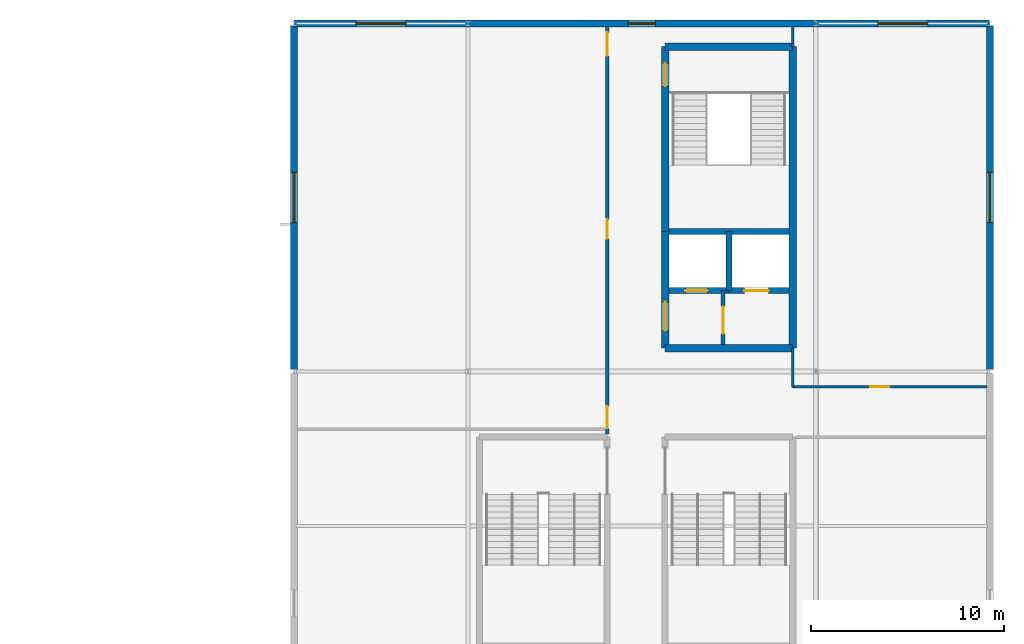
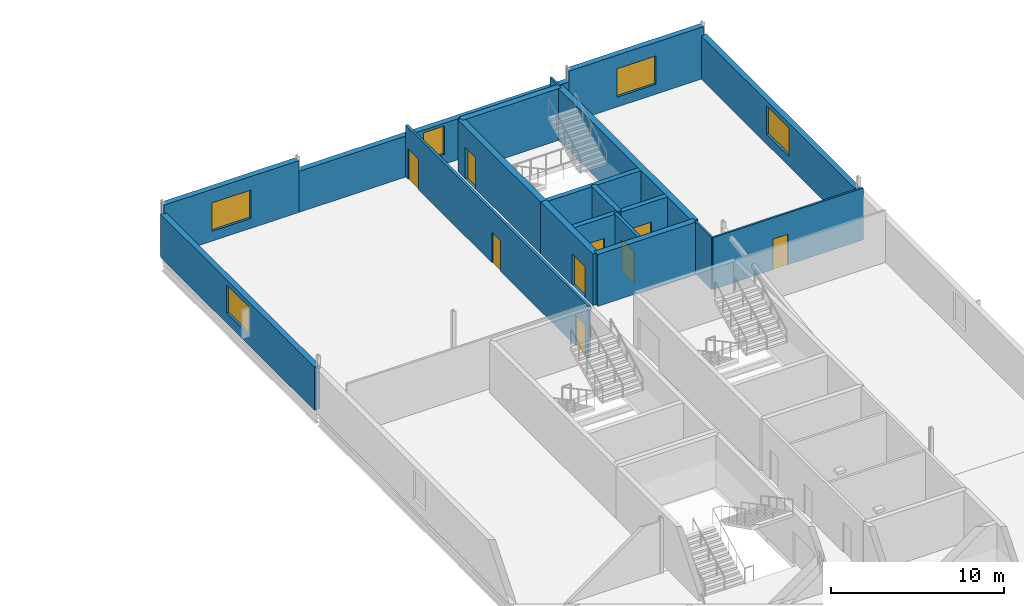
# One storey, part 24 of 35: 19 walls, 9 doors, 5 windows, 14 openings.
"""IFC4 building model written with IfcOpenShell, lengths in metres."""

import ifcopenshell
import ifcopenshell.guid

model = None  # the IFC model being written
_history = None  # IfcOwnerHistory: only IFC2X3 demands one
_inside = {}  # id of a spatial element -> (the spatial element, [elements in it])
_under = {}  # id of a project, library or spatial element -> (it, [spatial elements below it])
_declared = {}  # id of a project -> (the project, [libraries it declares])
_typed = {}  # id of a type object -> (the type object, [elements of that type])
_made_of = {}  # id of a material, layer set ... -> (it, [elements and type objects made of it])


def new_model(schema):
    """Start an empty IFC model of exactly this schema.

    Asked for "IFC4X3", IfcOpenShell would pick the latest addendum, in which some entities
    have other attributes; the version numbers below select the first issue.
    IFC2X3 requires an IfcOwnerHistory on every rooted entity: one is made here for all.
    """
    global model, _history
    if schema == "IFC4X3":
        model = ifcopenshell.file(schema_version=(4, 3, 0, 0))
    else:
        model = ifcopenshell.file(schema=schema)
    _inside.clear()
    _under.clear()
    _declared.clear()
    _typed.clear()
    _made_of.clear()
    _history = None
    if model.schema == "IFC2X3":
        org = make("IfcOrganization", Name="unknown")
        user = make(
            "IfcPersonAndOrganization",
            ThePerson=make("IfcPerson", FamilyName="unknown"),
            TheOrganization=org,
        )
        app = make(
            "IfcApplication",
            ApplicationDeveloper=org,
            Version="unknown",
            ApplicationFullName="unknown",
            ApplicationIdentifier="unknown",
        )
        _history = make(
            "IfcOwnerHistory",
            OwningUser=user,
            OwningApplication=app,
            ChangeAction="ADDED",
            CreationDate=0,
        )
    return model


def make(cls, **values):
    """One entity of the class cls with the attributes given. An attribute that is None is left unset."""
    return model.create_entity(
        cls, **{name: value for name, value in values.items() if value is not None}
    )


def rooted(cls, **values):
    """An entity with a GlobalId (a new one), such as an element, a storey or a relation."""
    return make(cls, GlobalId=ifcopenshell.guid.new(), OwnerHistory=_history, **values)


def si_unit(unit_type, name, prefix=None):
    """IfcSIUnit, for example si_unit("LENGTHUNIT", "METRE", prefix="MILLI")."""
    return make("IfcSIUnit", UnitType=unit_type, Prefix=prefix, Name=name)


def assignment(units):
    """IfcUnitAssignment: the units of a project."""
    return None if units is None else make("IfcUnitAssignment", Units=units)


def point(xyz):
    """IfcCartesianPoint."""
    return None if xyz is None else make("IfcCartesianPoint", Coordinates=xyz)


def direction(xyz):
    """IfcDirection."""
    return None if xyz is None else make("IfcDirection", DirectionRatios=xyz)


def frame(location, z_axis=None, x_axis=None):
    """IfcAxis2Placement3D, a coordinate frame: its origin and axes. An axis left out is left unset."""
    return make(
        "IfcAxis2Placement3D",
        Location=point(location),
        Axis=direction(z_axis),
        RefDirection=direction(x_axis),
    )


def frame_2d(location, x_axis=None):
    """IfcAxis2Placement2D, a coordinate frame in the plane: its origin and x axis."""
    return make(
        "IfcAxis2Placement2D", Location=point(location), RefDirection=direction(x_axis)
    )


def origin():
    """The frame at (0, 0, 0) with its axes left unset."""
    return frame((0.0, 0.0, 0.0))


def place(relative_to, where):
    """IfcLocalPlacement: puts the frame where relative to a parent placement (None: the world)."""
    return make(
        "IfcLocalPlacement", PlacementRelTo=relative_to, RelativePlacement=where
    )


def context(
    kind, dimensions, precision=None, world=None, true_north=None, identifier=None
):
    """IfcGeometricRepresentationContext, for example the 3D "Model" context."""
    return make(
        "IfcGeometricRepresentationContext",
        ContextIdentifier=identifier,
        ContextType=kind,
        CoordinateSpaceDimension=dimensions,
        Precision=precision,
        WorldCoordinateSystem=world,
        TrueNorth=true_north,
    )


def subcontext(parent, identifier, kind, view, scale=None):
    """IfcGeometricRepresentationSubContext, for example "Body" below "Model"."""
    return make(
        "IfcGeometricRepresentationSubContext",
        ContextIdentifier=identifier,
        ContextType=kind,
        ParentContext=parent,
        TargetScale=scale,
        TargetView=view,
    )


def project(units=None, contexts=None):
    """IfcProject with its units and contexts."""
    return rooted(
        "IfcProject",
        Name="project",
        RepresentationContexts=contexts,
        UnitsInContext=assignment(units),
    )


def spatial(cls, under=None, at=None, **own):
    """A site, building, storey or space (cls), placed at a placement, below another one or the project."""
    s = rooted(cls, ObjectPlacement=at, **own)
    if under is not None:
        _under.setdefault(under.id(), (under, []))[1].append(s)
    return s


def profile(cls, at=None, kind="AREA", **sizes):
    """A parametric profile (cls). Its sizes go by their IFC names, for example OverallWidth=200.0."""
    return make(cls, ProfileType=kind, Position=at, **sizes)


def rectangle(**sizes):
    """IfcRectangleProfileDef."""
    return profile("IfcRectangleProfileDef", **sizes)


def extrude(swept, where, along, depth):
    """IfcExtrudedAreaSolid: the profile swept, set in the frame where, extruded along a direction by depth."""
    return make(
        "IfcExtrudedAreaSolid",
        SweptArea=swept,
        Position=where,
        ExtrudedDirection=direction(along),
        Depth=depth,
    )


def shape(context_of_items, identifier, shape_type, items):
    """IfcShapeRepresentation: the items that make up one representation, for example the "Body"."""
    return make(
        "IfcShapeRepresentation",
        ContextOfItems=context_of_items,
        RepresentationIdentifier=identifier,
        RepresentationType=shape_type,
        Items=items,
    )


def material(Name=None, Category=None):
    """IfcMaterial."""
    return make("IfcMaterial", Name=Name, Category=Category)


def layer(
    of_material, thickness, ventilated=None, Name=None, Category=None, Priority=None
):
    """IfcMaterialLayer: one layer of a wall or slab, of a material (None: an air gap)."""
    return make(
        "IfcMaterialLayer",
        Material=of_material,
        LayerThickness=thickness,
        IsVentilated=ventilated,
        Name=Name,
        Category=Category,
        Priority=Priority,
    )


def layer_set(layers, Name=None):
    """IfcMaterialLayerSet."""
    return make("IfcMaterialLayerSet", MaterialLayers=layers, LayerSetName=Name)


def made_of(thing, what):
    """Note that an element or type object is made of a material, layer set ...; save() writes the relation."""
    if what is not None:
        _made_of.setdefault(what.id(), (what, []))[1].append(thing)
    return thing


def type_object(cls, material=None, **own):
    """A type object (cls), such as IfcWallType, which elements share."""
    return made_of(rooted(cls, **own), material)


def element(
    cls,
    number,
    at=None,
    inside=None,
    cuts=None,
    type_object=None,
    material=None,
    context=None,
    identifier="Body",
    shape_type=None,
    held_by="IfcProductDefinitionShape",
    body=None,
    shapes=None,
    **own,
):
    """One element of the class cls, such as IfcWall. Its Tag is "e" and its number.

    at: its placement. inside: the storey or other place that contains it. cuts: it is an
    opening in that element (IfcRelVoidsElement). A single representation is given by context,
    identifier, shape_type and body (its items); several are given by shapes. held_by: the class
    of the entity that holds the representations. save() writes the other relations.
    """
    e = rooted(cls, Tag="e%d" % number, ObjectPlacement=at, **own)
    if body is not None:
        shapes = [shape(context, identifier, shape_type, body)]
    if shapes is not None:
        e.Representation = make(held_by, Representations=shapes)
    if inside is not None:
        _inside.setdefault(inside.id(), (inside, []))[1].append(e)
    if cuts is not None:
        rooted(
            "IfcRelVoidsElement", RelatingBuildingElement=cuts, RelatedOpeningElement=e
        )
    if type_object is not None:
        _typed.setdefault(type_object.id(), (type_object, []))[1].append(e)
    return made_of(e, material)


def fill(opening, filler):
    """IfcRelFillsElement: the door or window that sits in an opening."""
    return rooted(
        "IfcRelFillsElement",
        RelatingOpeningElement=opening,
        RelatedBuildingElement=filler,
    )


def aggregate(whole, parts):
    """IfcRelAggregates: a whole, such as a stair, and the parts it consists of."""
    return rooted("IfcRelAggregates", RelatingObject=whole, RelatedObjects=parts)


def save(model, path):
    """Write the relations noted so far, then the file.

    IfcRelAggregates (storeys below a building ...), IfcRelContainedInSpatialStructure (elements
    in a storey), IfcRelDefinesByType, IfcRelAssociatesMaterial and IfcRelDeclares: one each for
    every whole, place, type object, material and project.
    """
    for whole, parts in _under.values():
        aggregate(whole, parts)
    for where, things in _inside.values():
        rooted(
            "IfcRelContainedInSpatialStructure",
            RelatedElements=things,
            RelatingStructure=where,
        )
    for kind, things in _typed.values():
        rooted("IfcRelDefinesByType", RelatedObjects=things, RelatingType=kind)
    for what, things in _made_of.values():
        rooted("IfcRelAssociatesMaterial", RelatedObjects=things, RelatingMaterial=what)
    for by, libraries in _declared.values():
        rooted("IfcRelDeclares", RelatingContext=by, RelatedDefinitions=libraries)
    model.write(path)


model = new_model("IFC4")

# Units and contexts
model_context = context("Model", 3, precision=1e-05, world=origin(), true_north=direction((0.0, 1.0)))
body_context = subcontext(model_context, "Body", "Model", "MODEL_VIEW")
ifc_project = project(units=[si_unit("LENGTHUNIT", "METRE"), si_unit("AREAUNIT", "SQUARE_METRE"), si_unit("VOLUMEUNIT", "CUBIC_METRE"), si_unit("PLANEANGLEUNIT", "RADIAN"), si_unit("MASSUNIT", "GRAM", prefix="KILO")], contexts=[model_context])

# Site, building, storey
site_placement = place(None, origin())
site = spatial("IfcSite", under=ifc_project, at=site_placement, CompositionType="ELEMENT")
building_placement = place(site_placement, origin())
building = spatial("IfcBuilding", under=site, at=building_placement, Name="Kisiwana Market Hall", CompositionType="ELEMENT")
storey_placement = place(building_placement, frame((0.0, 0.0, 57.89990234375)))
storey = spatial("IfcBuildingStorey", under=building, at=storey_placement, Name="L13", CompositionType="ELEMENT", Elevation=57.89990234375)

# Wall, opening, door
ifc_material_1 = material(Name="Masonry blockwork", Category="masonry")
ifc_layer_1 = layer(ifc_material_1, 0.199951171875, Name="Plastered fire compartment block wall")
ifc_layer_set_1 = layer_set([ifc_layer_1], Name="WL-COMP-200")
wall_type_1 = type_object("IfcWallType", Name="WL-COMP-200", PredefinedType="PARTITIONING", material=ifc_layer_set_1)
wall_1_placement = place(storey_placement, frame((184.199951171875, 85.39990234375, 0.0), z_axis=(0.0, 0.0, 1.0), x_axis=(0.0, 1.0, 0.0)))
wall_1 = element("IfcWall", 1, at=wall_1_placement, inside=storey, type_object=wall_type_1, Name="Core E1 firefighting lobby wall W-3164", PredefinedType="PARTITIONING", context=body_context, shape_type="SweptSolid", body=[
    extrude(rectangle(XDim=2.780029296875, YDim=0.199951171875, at=frame_2d((1.39013671875, 0.0))), origin(), (0.0, 0.0, 1.0), 3.655029296875),
])
opening_1_placement = place(wall_1_placement, frame((0.550048828125, 0.0, 0.0)))
opening_1 = element("IfcOpeningElement", 2, at=opening_1_placement, cuts=wall_1, Name="Opening DR-L13-012", PredefinedType="OPENING", context=body_context, shape_type="SweptSolid", body=[
    extrude(rectangle(XDim=1.39990234375, YDim=2.25, at=frame_2d((0.699951171875, 1.125))), frame((0.0, 0.11181640625, 0.0), z_axis=(0.0, -1.0, 0.0), x_axis=(1.0, 0.0, 0.0)), (0.0, 0.0, 1.0), 0.223876953125),
])
ifc_material_2 = material(Name="Steel S275", Category="steel")
door_type_1 = type_object("IfcDoorType", Name="DR-FFLOB-FD120-1400", OperationType="DOUBLE_DOOR_SINGLE_SWING", PredefinedType="DOOR", material=ifc_material_2)
door_1_placement = place(opening_1_placement, origin())
door_1 = element("IfcDoor", 3, at=door_1_placement, inside=storey, type_object=door_type_1, Name="Firefighting Lift Lobby E1 Door (L13)", OperationType="DOUBLE_DOOR_SINGLE_SWING", OverallHeight=2.25, OverallWidth=1.39990234375, PredefinedType="DOOR", context=body_context, shape_type="SweptSolid", body=[
    extrude(rectangle(XDim=1.39990234375, YDim=2.25, at=frame_2d((0.699951171875, 1.125))), frame((0.0, 0.02490234375, 0.0), z_axis=(0.0, -1.0, 0.0), x_axis=(1.0, 0.0, 0.0)), (0.0, 0.0, 1.0), 0.050048828125),
])
fill(opening_1, door_1)

# Walls
ifc_material_3 = material(Name="Concrete C40/50", Category="concrete")
ifc_layer_2 = layer(ifc_material_3, 0.320068359375, Name="Reinforced concrete shaft wall")
ifc_layer_set_2 = layer_set([ifc_layer_2], Name="WL-CORE-320")
wall_type_2 = type_object("IfcWallType", Name="WL-CORE-320", PredefinedType="SHEAR", material=ifc_layer_set_2)
wall_2_placement = place(storey_placement, frame((181.39990234375, 91.239990234375, 0.0), z_axis=(0.0, 0.0, 1.0), x_axis=(1.0, 0.0, 0.0)))
element("IfcWall", 4, at=wall_2_placement, inside=storey, type_object=wall_type_2, Name="Core E1 shaft back shear wall W-3081", PredefinedType="SHEAR", context=body_context, shape_type="SweptSolid", body=[
    extrude(rectangle(XDim=6.2001953125, YDim=0.320068359375, at=frame_2d((3.10009765625, 0.0))), origin(), (0.0, 0.0, 1.0), 3.655029296875),
])
wall_3_placement = place(storey_placement, frame((184.5, 88.179931640625, 0.0), z_axis=(0.0, 0.0, 1.0), x_axis=(0.0, 1.0, 0.0)))
element("IfcWall", 5, at=wall_3_placement, inside=storey, type_object=wall_type_2, Name="Core E1 inter-shaft shear wall W-3082", PredefinedType="SHEAR", context=body_context, shape_type="SweptSolid", body=[
    extrude(rectangle(XDim=3.06005859375, YDim=0.320068359375, at=frame_2d((1.530029296875, 0.0))), origin(), (0.0, 0.0, 1.0), 3.655029296875),
])

# Wall, opening, door
wall_4_placement = place(storey_placement, frame((181.39990234375, 88.179931640625, 0.0), z_axis=(0.0, 0.0, 1.0), x_axis=(1.0, 0.0, 0.0)))
wall_4 = element("IfcWall", 6, at=wall_4_placement, inside=storey, type_object=wall_type_2, Name="Core E1 west lift front wall W-3083", PredefinedType="SHEAR", context=body_context, shape_type="SweptSolid", body=[
    extrude(rectangle(XDim=3.10009765625, YDim=0.320068359375, at=frame_2d((1.550048828125, 0.0))), origin(), (0.0, 0.0, 1.0), 3.655029296875),
])
opening_2_placement = place(wall_4_placement, frame((0.85009765625, 0.0, 0.0)))
opening_2 = element("IfcOpeningElement", 7, at=opening_2_placement, cuts=wall_4, Name="Opening LD-L13-007", PredefinedType="OPENING", context=body_context, shape_type="SweptSolid", body=[
    extrude(rectangle(XDim=1.14990234375, YDim=2.199951171875, at=frame_2d((0.574951171875, 1.10009765625))), frame((0.0, 0.171875, 0.0), z_axis=(0.0, -1.0, 0.0), x_axis=(1.0, 0.0, 0.0)), (0.0, 0.0, 1.0), 0.343994140625),
])
ifc_material_4 = material(Name="Steel S275", Category="steel")
door_type_2 = type_object("IfcDoorType", Name="DR-LIFT-PAX-1150", OperationType="DOUBLE_DOOR_SLIDING", PredefinedType="DOOR", material=ifc_material_4)
door_2_placement = place(opening_2_placement, origin())
door_2 = element("IfcDoor", 8, at=door_2_placement, inside=storey, type_object=door_type_2, Name="Lift Landing Door LP-04 (L13)", OperationType="DOUBLE_DOOR_SLIDING", OverallHeight=2.199951171875, OverallWidth=1.14990234375, PredefinedType="DOOR", context=body_context, shape_type="SweptSolid", body=[
    extrude(rectangle(XDim=1.14990234375, YDim=2.199951171875, at=frame_2d((0.574951171875, 1.10009765625))), frame((0.0, 0.02490234375, 0.0), z_axis=(0.0, -1.0, 0.0), x_axis=(1.0, 0.0, 0.0)), (0.0, 0.0, 1.0), 0.050048828125),
])
fill(opening_2, door_2)

wall_5_placement = place(storey_placement, frame((184.5, 88.179931640625, 0.0), z_axis=(0.0, 0.0, 1.0), x_axis=(1.0, 0.0, 0.0)))
wall_5 = element("IfcWall", 9, at=wall_5_placement, inside=storey, type_object=wall_type_2, Name="Core E1 east lift front wall W-3084", PredefinedType="SHEAR", context=body_context, shape_type="SweptSolid", body=[
    extrude(rectangle(XDim=3.10009765625, YDim=0.320068359375, at=frame_2d((1.550048828125, 0.0))), origin(), (0.0, 0.0, 1.0), 3.655029296875),
])
opening_3_placement = place(wall_5_placement, frame((0.800048828125, 0.0, 0.0)))
opening_3 = element("IfcOpeningElement", 10, at=opening_3_placement, cuts=wall_5, Name="Opening LD-L13-008", PredefinedType="OPENING", context=body_context, shape_type="SweptSolid", body=[
    extrude(rectangle(XDim=1.25, YDim=2.25, at=frame_2d((0.625, 1.125))), frame((0.0, 0.171875, 0.0), z_axis=(0.0, -1.0, 0.0), x_axis=(1.0, 0.0, 0.0)), (0.0, 0.0, 1.0), 0.343994140625),
])
ifc_material_5 = material(Name="Steel S275", Category="steel")
door_type_3 = type_object("IfcDoorType", Name="DR-LIFT-FFL-1250", OperationType="DOUBLE_DOOR_SLIDING", PredefinedType="DOOR", material=ifc_material_5)
door_3_placement = place(opening_3_placement, origin())
door_3 = element("IfcDoor", 11, at=door_3_placement, inside=storey, type_object=door_type_3, Name="Lift Landing Door FFL-04 (L13)", OperationType="DOUBLE_DOOR_SLIDING", OverallHeight=2.25, OverallWidth=1.25, PredefinedType="DOOR", context=body_context, shape_type="SweptSolid", body=[
    extrude(rectangle(XDim=1.25, YDim=2.25, at=frame_2d((0.625, 1.125))), frame((0.0, 0.02490234375, 0.0), z_axis=(0.0, -1.0, 0.0), x_axis=(1.0, 0.0, 0.0)), (0.0, 0.0, 1.0), 0.050048828125),
])
fill(opening_3, door_3)

# Walls
ifc_material_6 = material(Name="Concrete C40/50", Category="concrete")
ifc_layer_3 = layer(ifc_material_6, 0.39990234375, Name="Reinforced concrete core wall")
ifc_layer_set_3 = layer_set([ifc_layer_3], Name="WL-CORE-400")
wall_type_3 = type_object("IfcWallType", Name="WL-CORE-400", PredefinedType="SHEAR", material=ifc_layer_set_3)
for number, where, z_axis, x_axis, name in (
    (12, (181.199951171875, 85.199951171875, 0.0), (0.0, 0.0, 1.0), (1.0, 0.0, 0.0), "Core E1 south shear wall W-3076"),
    (13, (181.199951171875, 100.800048828125, 0.0), (0.0, 0.0, 1.0), (1.0, 0.0, 0.0), "Core E1 north shear wall W-3077"),
):
    element("IfcWall", number, at=place(storey_placement, frame(where, z_axis=z_axis, x_axis=x_axis)), inside=storey, type_object=wall_type_3, Name=name, PredefinedType="SHEAR", context=body_context, shape_type="SweptSolid", body=[
        extrude(rectangle(XDim=6.60009765625, YDim=0.39990234375, at=frame_2d((3.300048828125, 0.0))), origin(), (0.0, 0.0, 1.0), 3.655029296875),
    ])
wall_6_placement = place(storey_placement, frame((187.800048828125, 85.199951171875, 0.0), z_axis=(0.0, 0.0, 1.0), x_axis=(0.0, 1.0, 0.0)))
element("IfcWall", 14, at=wall_6_placement, inside=storey, type_object=wall_type_3, Name="Core E1 outer shear wall W-3078", PredefinedType="SHEAR", context=body_context, shape_type="SweptSolid", body=[
    extrude(rectangle(XDim=15.60009765625, YDim=0.39990234375, at=frame_2d((7.800048828125, 0.0))), origin(), (0.0, 0.0, 1.0), 3.655029296875),
])

# Wall, opening, door
wall_7_placement = place(storey_placement, frame((181.199951171875, 85.199951171875, 0.0), z_axis=(0.0, 0.0, 1.0), x_axis=(0.0, 1.0, 0.0)))
wall_7 = element("IfcWall", 15, at=wall_7_placement, inside=storey, type_object=wall_type_3, Name="Core E1 lobby corridor shear wall W-3079", PredefinedType="SHEAR", context=body_context, shape_type="SweptSolid", body=[
    extrude(rectangle(XDim=6.0400390625, YDim=0.39990234375, at=frame_2d((3.02001953125, 0.0))), origin(), (0.0, 0.0, 1.0), 3.655029296875),
])
opening_4_placement = place(wall_7_placement, frame((0.89990234375, 0.0, 0.0)))
opening_4 = element("IfcOpeningElement", 16, at=opening_4_placement, cuts=wall_7, Name="Opening DR-L13-010", PredefinedType="OPENING", context=body_context, shape_type="SweptSolid", body=[
    extrude(rectangle(XDim=1.5, YDim=2.199951171875, at=frame_2d((0.75, 1.10009765625))), frame((0.0, 0.2119140625, 0.0), z_axis=(0.0, -1.0, 0.0), x_axis=(1.0, 0.0, 0.0)), (0.0, 0.0, 1.0), 0.423828125),
])
ifc_material_7 = material(Name="Steel S275", Category="steel")
door_type_4 = type_object("IfcDoorType", Name="DR-CORR-FD60-1500", OperationType="DOUBLE_DOOR_SINGLE_SWING", PredefinedType="DOOR", material=ifc_material_7)
door_4_placement = place(opening_4_placement, origin())
door_4 = element("IfcDoor", 17, at=door_4_placement, inside=storey, type_object=door_type_4, Name="Passenger Lift Lobby E1 Smoke Door (L13)", OperationType="DOUBLE_DOOR_SINGLE_SWING", OverallHeight=2.199951171875, OverallWidth=1.5, PredefinedType="DOOR", context=body_context, shape_type="SweptSolid", body=[
    extrude(rectangle(XDim=1.5, YDim=2.199951171875, at=frame_2d((0.75, 1.10009765625))), frame((0.0, 0.02490234375, 0.0), z_axis=(0.0, -1.0, 0.0), x_axis=(1.0, 0.0, 0.0)), (0.0, 0.0, 1.0), 0.050048828125),
])
fill(opening_4, door_4)

wall_8_placement = place(storey_placement, frame((181.199951171875, 91.239990234375, 0.0), z_axis=(0.0, 0.0, 1.0), x_axis=(0.0, 1.0, 0.0)))
wall_8 = element("IfcWall", 18, at=wall_8_placement, inside=storey, type_object=wall_type_3, Name="Core E1 stair corridor shear wall W-3080", PredefinedType="SHEAR", context=body_context, shape_type="SweptSolid", body=[
    extrude(rectangle(XDim=9.56005859375, YDim=0.39990234375, at=frame_2d((4.780029296875, 0.0))), origin(), (0.0, 0.0, 1.0), 3.655029296875),
])
opening_5_placement = place(wall_8_placement, frame((7.510009765625, 0.0, 0.0)))
opening_5 = element("IfcOpeningElement", 19, at=opening_5_placement, cuts=wall_8, Name="Opening DR-L13-011", PredefinedType="OPENING", context=body_context, shape_type="SweptSolid", body=[
    extrude(rectangle(XDim=1.199951171875, YDim=2.199951171875, at=frame_2d((0.60009765625, 1.10009765625))), frame((0.0, 0.2119140625, 0.0), z_axis=(0.0, -1.0, 0.0), x_axis=(1.0, 0.0, 0.0)), (0.0, 0.0, 1.0), 0.423828125),
])
ifc_material_8 = material(Name="Steel S275", Category="steel")
door_type_5 = type_object("IfcDoorType", Name="DR-STAIR-FD120-1200", OperationType="NOTDEFINED", PredefinedType="DOOR", material=ifc_material_8)
door_5_placement = place(opening_5_placement, frame((1.199951171875, 0.0, 0.0), z_axis=(0.0, 0.0, 1.0), x_axis=(-1.0, 0.0, 0.0)))
door_5 = element("IfcDoor", 20, at=door_5_placement, inside=storey, type_object=door_type_5, Name="Escape Stair E1 Fire Door (L13)", OperationType="SINGLE_SWING_LEFT", OverallHeight=2.199951171875, OverallWidth=1.199951171875, PredefinedType="DOOR", context=body_context, shape_type="SweptSolid", body=[
    extrude(rectangle(XDim=1.199951171875, YDim=2.199951171875, at=frame_2d((0.60009765625, 1.10009765625))), frame((0.0, 0.02490234375, 0.0), z_axis=(0.0, -1.0, 0.0), x_axis=(1.0, 0.0, 0.0)), (0.0, 0.0, 1.0), 0.050048828125),
])
fill(opening_5, door_5)

# Wall, openings, doors
ifc_material_9 = material(Name="Masonry blockwork", Category="masonry")
ifc_layer_4 = layer(ifc_material_9, 0.169921875, Name="Protected corridor partition")
ifc_layer_set_4 = layer_set([ifc_layer_4], Name="WL-CORR-170")
wall_type_4 = type_object("IfcWallType", Name="WL-CORR-170", PredefinedType="PARTITIONING", material=ifc_layer_set_4)
wall_9_placement = place(storey_placement, frame((178.199951171875, 80.760009765625, 0.0), z_axis=(0.0, 0.0, 1.0), x_axis=(0.0, 1.0, 0.0)))
wall_9 = element("IfcWall", 21, at=wall_9_placement, inside=storey, type_object=wall_type_4, Name="Interior partition W-3198", PredefinedType="PARTITIONING", context=body_context, shape_type="SweptSolid", body=[
    extrude(rectangle(XDim=21.08251953125, YDim=0.169921875, at=frame_2d((10.541259765625, 0.0))), origin(), (0.0, 0.0, 1.0), 3.655029296875),
])
opening_6_placement = place(wall_9_placement, frame((10.10107421875, 0.0, 0.0)))
opening_6 = element("IfcOpeningElement", 22, at=opening_6_placement, cuts=wall_9, Name="Opening DR-L13-048", PredefinedType="OPENING", context=body_context, shape_type="SweptSolid", body=[
    extrude(rectangle(XDim=1.0, YDim=2.14990234375, at=frame_2d((0.5, 1.074951171875))), frame((0.0, 0.096923828125, 0.0), z_axis=(0.0, -1.0, 0.0), x_axis=(1.0, 0.0, 0.0)), (0.0, 0.0, 1.0), 0.19384765625),
])
opening_7_placement = place(wall_9_placement, frame((0.300048828125, 0.0, 0.0)))
opening_7 = element("IfcOpeningElement", 23, at=opening_7_placement, cuts=wall_9, Name="Opening DR-L13-049", PredefinedType="OPENING", context=body_context, shape_type="SweptSolid", body=[
    extrude(rectangle(XDim=1.14990234375, YDim=2.14990234375, at=frame_2d((0.574951171875, 1.074951171875))), frame((0.0, 0.096923828125, 0.0), z_axis=(0.0, -1.0, 0.0), x_axis=(1.0, 0.0, 0.0)), (0.0, 0.0, 1.0), 0.19384765625),
])
opening_8_placement = place(wall_9_placement, frame((19.56298828125, 0.0, 0.0)))
opening_8 = element("IfcOpeningElement", 24, at=opening_8_placement, cuts=wall_9, Name="Opening DR-L13-050", PredefinedType="OPENING", context=body_context, shape_type="SweptSolid", body=[
    extrude(rectangle(XDim=1.219970703125, YDim=2.14990234375, at=frame_2d((0.60986328125, 1.074951171875))), frame((0.0, 0.096923828125, 0.0), z_axis=(0.0, -1.0, 0.0), x_axis=(1.0, 0.0, 0.0)), (0.0, 0.0, 1.0), 0.19384765625),
])
ifc_material_10 = material(Name="Aluminium alloy 6063-T6", Category="aluminium")
door_type_6 = type_object("IfcDoorType", Name="DR-MEET-1150", OperationType="NOTDEFINED", PredefinedType="DOOR", material=ifc_material_10)
door_6_placement = place(opening_7_placement, origin())
door_6 = element("IfcDoor", 25, at=door_6_placement, inside=storey, type_object=door_type_6, Name="L13 E Director Boardroom C2 Door", OperationType="SINGLE_SWING_LEFT", OverallHeight=2.14990234375, OverallWidth=1.14990234375, PredefinedType="DOOR", context=body_context, shape_type="SweptSolid", body=[
    extrude(rectangle(XDim=1.14990234375, YDim=2.14990234375, at=frame_2d((0.574951171875, 1.074951171875))), frame((0.0, 0.02490234375, 0.0), z_axis=(0.0, -1.0, 0.0), x_axis=(1.0, 0.0, 0.0)), (0.0, 0.0, 1.0), 0.050048828125),
])
fill(opening_7, door_6)
ifc_material_11 = material(Name="Aluminium alloy 6063-T6", Category="aluminium")
door_type_7 = type_object("IfcDoorType", Name="DR-OFF-1000", OperationType="NOTDEFINED", PredefinedType="DOOR", material=ifc_material_11)
door_7_placement = place(opening_6_placement, origin())
door_7 = element("IfcDoor", 26, at=door_7_placement, inside=storey, type_object=door_type_7, Name="L13 E Executive Corner Suite C4 Door", OperationType="SINGLE_SWING_LEFT", OverallHeight=2.14990234375, OverallWidth=1.0, PredefinedType="DOOR", context=body_context, shape_type="SweptSolid", body=[
    extrude(rectangle(XDim=1.0, YDim=2.14990234375, at=frame_2d((0.5, 1.074951171875))), frame((0.0, 0.02490234375, 0.0), z_axis=(0.0, -1.0, 0.0), x_axis=(1.0, 0.0, 0.0)), (0.0, 0.0, 1.0), 0.050048828125),
])
fill(opening_6, door_7)
ifc_material_12 = material(Name="Hardwood timber", Category="wood")
door_type_8 = type_object("IfcDoorType", Name="DR-STOR-FD60-1220", OperationType="NOTDEFINED", PredefinedType="DOOR", material=ifc_material_12)
door_8_placement = place(opening_8_placement, origin())
door_8 = element("IfcDoor", 27, at=door_8_placement, inside=storey, type_object=door_type_8, Name="L13 E Legal Advisory Suite C3 Door", OperationType="SINGLE_SWING_RIGHT", OverallHeight=2.14990234375, OverallWidth=1.219970703125, PredefinedType="DOOR", context=body_context, shape_type="SweptSolid", body=[
    extrude(rectangle(XDim=1.219970703125, YDim=2.14990234375, at=frame_2d((0.60986328125, 1.074951171875))), frame((0.0, 0.02490234375, 0.0), z_axis=(0.0, -1.0, 0.0), x_axis=(1.0, 0.0, 0.0)), (0.0, 0.0, 1.0), 0.050048828125),
])
fill(opening_8, door_8)

# Wall, opening, window
ifc_material_13 = material(Name="Concrete C40/50 precast", Category="concrete")
ifc_layer_5 = layer(ifc_material_13, 0.364990234375)
ifc_layer_set_5 = layer_set([ifc_layer_5], Name="WL-EXT-365")
wall_type_5 = type_object("IfcWallType", Name="WL-EXT-365", PredefinedType="STANDARD", material=ifc_layer_set_5)
wall_10_placement = place(storey_placement, frame((162.010009765625, 102.0, 0.0), z_axis=(0.0, 0.0, 1.0), x_axis=(1.0, 0.0, 0.0)))
wall_10 = element("IfcWall", 28, at=wall_10_placement, inside=storey, type_object=wall_type_5, Name="Exterior wall W-3142", PredefinedType="STANDARD", context=body_context, shape_type="SweptSolid", body=[
    extrude(rectangle(XDim=8.97998046875, YDim=0.364990234375, at=frame_2d((4.489990234375, 0.0))), origin(), (0.0, 0.0, 1.0), 3.655029296875),
])
opening_9_placement = place(wall_10_placement, frame((3.18994140625, 0.0, 0.699951171875)))
opening_9 = element("IfcOpeningElement", 29, at=opening_9_placement, cuts=wall_10, Name="Opening WN-13", PredefinedType="OPENING", context=body_context, shape_type="SweptSolid", body=[
    extrude(rectangle(XDim=2.60009765625, YDim=2.0, at=frame_2d((1.300048828125, 1.0))), frame((0.0, 0.1943359375, 0.0), z_axis=(0.0, -1.0, 0.0), x_axis=(1.0, 0.0, 0.0)), (0.0, 0.0, 1.0), 0.388916015625),
])
ifc_material_14 = material(Name="Double-glazed solar-control low-E IGU", Category="glass")
window_type_1 = type_object("IfcWindowType", Name="WN-OFFC-2600x2000", PartitioningType="SINGLE_PANEL", PredefinedType="WINDOW", material=ifc_material_14)
window_1_placement = place(opening_9_placement, origin())
window_1 = element("IfcWindow", 30, at=window_1_placement, inside=storey, type_object=window_type_1, Name="Exterior window WN-372", OverallHeight=2.0, OverallWidth=2.60009765625, PartitioningType="SINGLE_PANEL", PredefinedType="WINDOW", context=body_context, shape_type="SweptSolid", body=[
    extrude(rectangle(XDim=2.60009765625, YDim=2.0, at=frame_2d((1.300048828125, 1.0))), frame((0.0, 0.030029296875, 0.0), z_axis=(0.0, -1.0, 0.0), x_axis=(1.0, 0.0, 0.0)), (0.0, 0.0, 1.0), 0.06005859375),
])
fill(opening_9, window_1)

wall_11_placement = place(storey_placement, frame((171.010009765625, 102.0, 0.0), z_axis=(0.0, 0.0, 1.0), x_axis=(1.0, 0.0, 0.0)))
wall_11 = element("IfcWall", 31, at=wall_11_placement, inside=storey, type_object=wall_type_5, Name="Exterior wall W-3143", PredefinedType="STANDARD", context=body_context, shape_type="SweptSolid", body=[
    extrude(rectangle(XDim=17.97998046875, YDim=0.364990234375, at=frame_2d((8.989990234375, 0.0))), origin(), (0.0, 0.0, 1.0), 2.892822265625),
])
opening_10_placement = place(wall_11_placement, frame((8.2900390625, 0.0, 0.699951171875)))
opening_10 = element("IfcOpeningElement", 32, at=opening_10_placement, cuts=wall_11, Name="Opening WN-05", PredefinedType="OPENING", context=body_context, shape_type="SweptSolid", body=[
    extrude(rectangle(XDim=1.39990234375, YDim=2.0, at=frame_2d((0.699951171875, 1.0))), frame((0.0, 0.1943359375, 0.0), z_axis=(0.0, -1.0, 0.0), x_axis=(1.0, 0.0, 0.0)), (0.0, 0.0, 1.0), 0.388916015625),
])
ifc_material_15 = material(Name="Double-glazed solar-control low-E IGU", Category="glass")
window_type_2 = type_object("IfcWindowType", Name="WN-OFFC-1400x2000", PartitioningType="SINGLE_PANEL", PredefinedType="WINDOW", material=ifc_material_15)
window_2_placement = place(opening_10_placement, origin())
window_2 = element("IfcWindow", 33, at=window_2_placement, inside=storey, type_object=window_type_2, Name="Exterior window WN-357", OverallHeight=2.0, OverallWidth=1.39990234375, PartitioningType="SINGLE_PANEL", PredefinedType="WINDOW", context=body_context, shape_type="SweptSolid", body=[
    extrude(rectangle(XDim=1.39990234375, YDim=2.0, at=frame_2d((0.699951171875, 1.0))), frame((0.0, 0.030029296875, 0.0), z_axis=(0.0, -1.0, 0.0), x_axis=(1.0, 0.0, 0.0)), (0.0, 0.0, 1.0), 0.06005859375),
])
fill(opening_10, window_2)

wall_12_placement = place(storey_placement, frame((189.010009765625, 102.0, 0.0), z_axis=(0.0, 0.0, 1.0), x_axis=(1.0, 0.0, 0.0)))
wall_12 = element("IfcWall", 34, at=wall_12_placement, inside=storey, type_object=wall_type_5, Name="Exterior wall W-3144", PredefinedType="STANDARD", context=body_context, shape_type="SweptSolid", body=[
    extrude(rectangle(XDim=8.97998046875, YDim=0.364990234375, at=frame_2d((4.489990234375, 0.0))), origin(), (0.0, 0.0, 1.0), 3.655029296875),
])
opening_11_placement = place(wall_12_placement, frame((3.18994140625, 0.0, 0.699951171875)))
opening_11 = element("IfcOpeningElement", 35, at=opening_11_placement, cuts=wall_12, Name="Opening WN-13", PredefinedType="OPENING", context=body_context, shape_type="SweptSolid", body=[
    extrude(rectangle(XDim=2.60009765625, YDim=2.0, at=frame_2d((1.300048828125, 1.0))), frame((0.0, 0.1943359375, 0.0), z_axis=(0.0, -1.0, 0.0), x_axis=(1.0, 0.0, 0.0)), (0.0, 0.0, 1.0), 0.388916015625),
])
window_3_placement = place(opening_11_placement, origin())
window_3 = element("IfcWindow", 36, at=window_3_placement, inside=storey, type_object=window_type_1, Name="Exterior window WN-373", OverallHeight=2.0, OverallWidth=2.60009765625, PartitioningType="SINGLE_PANEL", PredefinedType="WINDOW", context=body_context, shape_type="SweptSolid", body=[
    extrude(rectangle(XDim=2.60009765625, YDim=2.0, at=frame_2d((1.300048828125, 1.0))), frame((0.0, 0.030029296875, 0.0), z_axis=(0.0, -1.0, 0.0), x_axis=(1.0, 0.0, 0.0)), (0.0, 0.0, 1.0), 0.06005859375),
])
fill(opening_11, window_3)

wall_13_placement = place(storey_placement, frame((162.0, 84.107666015625, 0.0), z_axis=(0.0, 0.0, 1.0), x_axis=(0.0, 1.0, 0.0)))
wall_13 = element("IfcWall", 37, at=wall_13_placement, inside=storey, type_object=wall_type_5, Name="Exterior wall W-3156", PredefinedType="STANDARD", context=body_context, shape_type="SweptSolid", body=[
    extrude(rectangle(XDim=17.78466796875, YDim=0.364990234375, at=frame_2d((8.892333984375, 0.0))), origin(), (0.0, 0.0, 1.0), 3.04296875),
])
opening_12_placement = place(wall_13_placement, frame((7.59228515625, 0.0, 0.699951171875)))
opening_12 = element("IfcOpeningElement", 38, at=opening_12_placement, cuts=wall_13, Name="Opening WN-13", PredefinedType="OPENING", context=body_context, shape_type="SweptSolid", body=[
    extrude(rectangle(XDim=2.60009765625, YDim=2.0, at=frame_2d((1.300048828125, 1.0))), frame((0.0, 0.1943359375, 0.0), z_axis=(0.0, -1.0, 0.0), x_axis=(1.0, 0.0, 0.0)), (0.0, 0.0, 1.0), 0.388916015625),
])
window_4_placement = place(opening_12_placement, origin())
window_4 = element("IfcWindow", 39, at=window_4_placement, inside=storey, type_object=window_type_1, Name="Exterior window WN-379", OverallHeight=2.0, OverallWidth=2.60009765625, PartitioningType="SINGLE_PANEL", PredefinedType="WINDOW", context=body_context, shape_type="SweptSolid", body=[
    extrude(rectangle(XDim=2.60009765625, YDim=2.0, at=frame_2d((1.300048828125, 1.0))), frame((0.0, 0.030029296875, 0.0), z_axis=(0.0, -1.0, 0.0), x_axis=(1.0, 0.0, 0.0)), (0.0, 0.0, 1.0), 0.06005859375),
])
fill(opening_12, window_4)

wall_14_placement = place(storey_placement, frame((198.0, 84.107666015625, 0.0), z_axis=(0.0, 0.0, 1.0), x_axis=(0.0, 1.0, 0.0)))
wall_14 = element("IfcWall", 40, at=wall_14_placement, inside=storey, type_object=wall_type_5, Name="Exterior wall W-3160", PredefinedType="STANDARD", context=body_context, shape_type="SweptSolid", body=[
    extrude(rectangle(XDim=17.78466796875, YDim=0.364990234375, at=frame_2d((8.892333984375, 0.0))), origin(), (0.0, 0.0, 1.0), 3.04296875),
])
opening_13_placement = place(wall_14_placement, frame((7.59228515625, 0.0, 0.699951171875)))
opening_13 = element("IfcOpeningElement", 41, at=opening_13_placement, cuts=wall_14, Name="Opening WN-13", PredefinedType="OPENING", context=body_context, shape_type="SweptSolid", body=[
    extrude(rectangle(XDim=2.60009765625, YDim=2.0, at=frame_2d((1.300048828125, 1.0))), frame((0.0, 0.1943359375, 0.0), z_axis=(0.0, -1.0, 0.0), x_axis=(1.0, 0.0, 0.0)), (0.0, 0.0, 1.0), 0.388916015625),
])
window_5_placement = place(opening_13_placement, origin())
window_5 = element("IfcWindow", 42, at=window_5_placement, inside=storey, type_object=window_type_1, Name="Exterior window WN-381", OverallHeight=2.0, OverallWidth=2.60009765625, PartitioningType="SINGLE_PANEL", PredefinedType="WINDOW", context=body_context, shape_type="SweptSolid", body=[
    extrude(rectangle(XDim=2.60009765625, YDim=2.0, at=frame_2d((1.300048828125, 1.0))), frame((0.0, 0.030029296875, 0.0), z_axis=(0.0, -1.0, 0.0), x_axis=(1.0, 0.0, 0.0)), (0.0, 0.0, 1.0), 0.06005859375),
])
fill(opening_13, window_5)

# Walls
ifc_material_16 = material(Name="Gypsum plasterboard")
ifc_layer_6 = layer(ifc_material_16, 0.125, Name="Double gypsum board + acoustic stud")
ifc_layer_set_6 = layer_set([ifc_layer_6], Name="WL-OFF-125")
wall_type_6 = type_object("IfcWallType", Name="WL-OFF-125", PredefinedType="PARTITIONING", material=ifc_layer_set_6)
wall_15_placement = place(storey_placement, frame((187.800048828125, 83.199951171875, 0.0), z_axis=(0.0, 0.0, 1.0), x_axis=(0.0, 1.0, 0.0)))
element("IfcWall", 43, at=wall_15_placement, inside=storey, type_object=wall_type_6, Name="Interior partition W-3187", PredefinedType="PARTITIONING", context=body_context, shape_type="SweptSolid", body=[
    extrude(rectangle(XDim=2.0, YDim=0.125, at=frame_2d((1.0, 0.0))), origin(), (0.0, 0.0, 1.0), 3.655029296875),
])
wall_16_placement = place(storey_placement, frame((187.800048828125, 100.800048828125, 0.0), z_axis=(0.0, 0.0, 1.0), x_axis=(0.0, 1.0, 0.0)))
element("IfcWall", 44, at=wall_16_placement, inside=storey, type_object=wall_type_6, Name="Interior partition W-3189", PredefinedType="PARTITIONING", context=body_context, shape_type="SweptSolid", body=[
    extrude(rectangle(XDim=1.04248046875, YDim=0.125, at=frame_2d((0.521240234375, 0.0))), origin(), (0.0, 0.0, 1.0), 3.655029296875),
])

# Wall, opening, door
wall_17_placement = place(storey_placement, frame((187.800048828125, 83.199951171875, 0.0), z_axis=(0.0, 0.0, 1.0), x_axis=(1.0, 0.0, 0.0)))
wall_17 = element("IfcWall", 45, at=wall_17_placement, inside=storey, type_object=wall_type_6, Name="Interior partition W-3193", PredefinedType="PARTITIONING", context=body_context, shape_type="SweptSolid", body=[
    extrude(rectangle(XDim=10.04248046875, YDim=0.125, at=frame_2d((5.021240234375, 0.0))), origin(), (0.0, 0.0, 1.0), 3.655029296875),
])
opening_14_placement = place(wall_17_placement, frame((4.0, 0.0, 0.0)))
opening_14 = element("IfcOpeningElement", 46, at=opening_14_placement, cuts=wall_17, Name="Opening DR-L13-044", PredefinedType="OPENING", context=body_context, shape_type="SweptSolid", body=[
    extrude(rectangle(XDim=1.0, YDim=2.14990234375, at=frame_2d((0.5, 1.074951171875))), frame((0.0, 0.074462890625, 0.0), z_axis=(0.0, -1.0, 0.0), x_axis=(1.0, 0.0, 0.0)), (0.0, 0.0, 1.0), 0.14892578125),
])
door_9_placement = place(opening_14_placement, origin())
door_9 = element("IfcDoor", 47, at=door_9_placement, inside=storey, type_object=door_type_7, Name="L13 E Commercial Office North Door", OperationType="SINGLE_SWING_LEFT", OverallHeight=2.14990234375, OverallWidth=1.0, PredefinedType="DOOR", context=body_context, shape_type="SweptSolid", body=[
    extrude(rectangle(XDim=1.0, YDim=2.14990234375, at=frame_2d((0.5, 1.074951171875))), frame((0.0, 0.02490234375, 0.0), z_axis=(0.0, -1.0, 0.0), x_axis=(1.0, 0.0, 0.0)), (0.0, 0.0, 1.0), 0.050048828125),
])
fill(opening_14, door_9)

save(model, "model.ifc")
